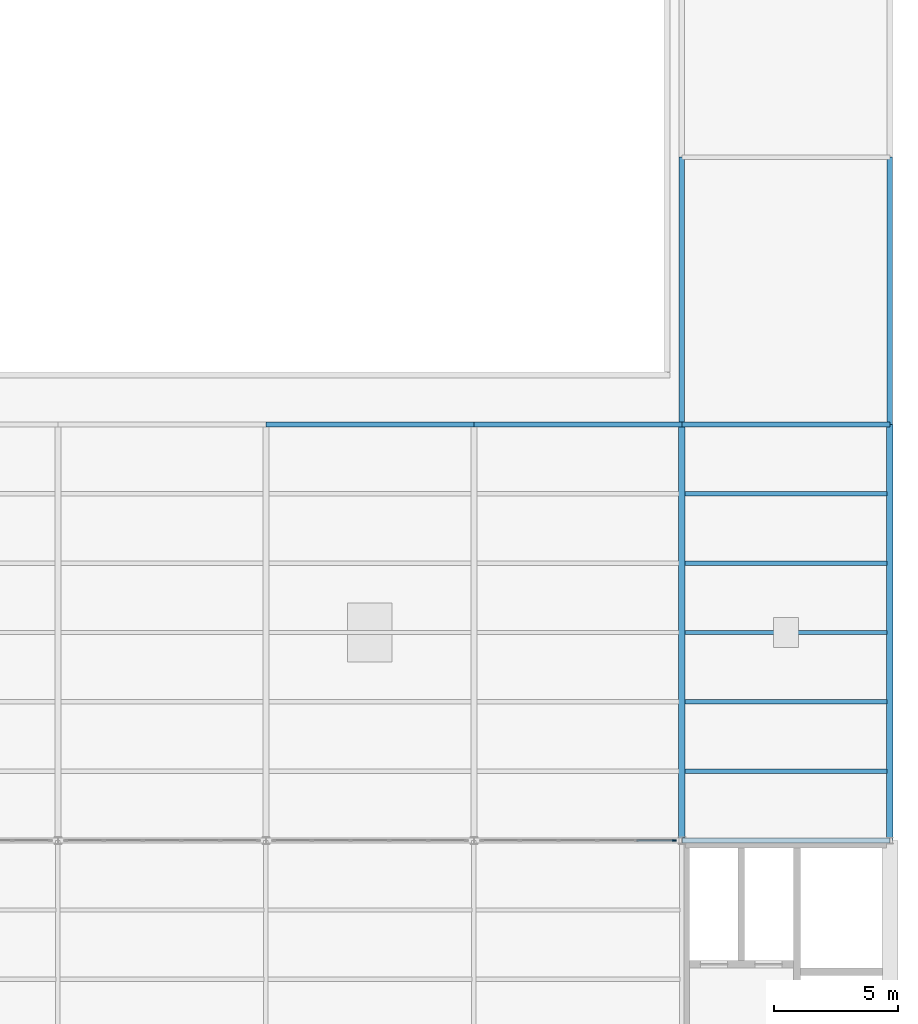
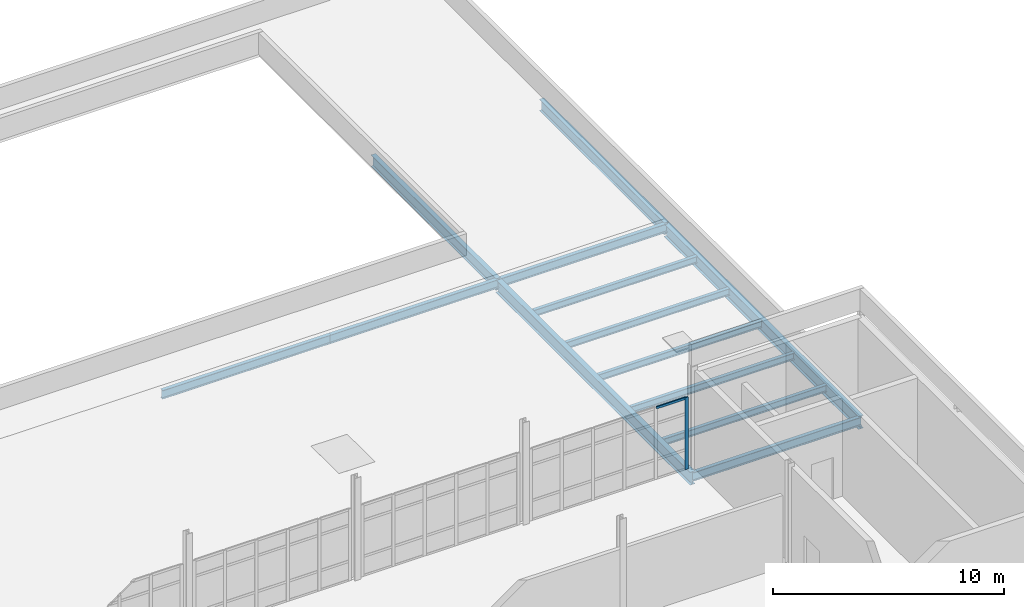
# One storey, part 22 of 33: 13 beams, 2 members, 1 element without a shape of its own.
"""IFC4 building model written with IfcOpenShell, lengths in metres."""

from ifc_helpers import new_model, si_unit, direction, frame, origin, origin_2d, place, context, subcontext, project, spatial, rectangle, i_section, extrude, material, layer, layer_set, material_profile, profile_set, type_object, element, aggregate, save


model = new_model("IFC4")

# Units and contexts
model_context = context("Model", 3, precision=1e-05, world=origin(), true_north=direction((0.0, 1.0)))
body_context = subcontext(model_context, "Body", "Model", "MODEL_VIEW")
ifc_project = project(units=[si_unit("LENGTHUNIT", "METRE"), si_unit("AREAUNIT", "SQUARE_METRE"), si_unit("VOLUMEUNIT", "CUBIC_METRE"), si_unit("PLANEANGLEUNIT", "RADIAN"), si_unit("MASSUNIT", "GRAM", prefix="KILO"), si_unit("THERMODYNAMICTEMPERATUREUNIT", "KELVIN"), si_unit("POWERUNIT", "WATT")], contexts=[model_context])

# Site, building, storey
site_placement = place(None, origin())
site = spatial("IfcSite", under=ifc_project, at=site_placement, CompositionType="ELEMENT")
building_placement = place(site_placement, origin())
building = spatial("IfcBuilding", under=site, at=building_placement, Name="Tembeka Court Mobility Hub", CompositionType="ELEMENT")
storey_placement = place(building_placement, frame((0.0, 0.0, 23.39990234375)))
storey = spatial("IfcBuildingStorey", under=building, at=storey_placement, Name="L06", CompositionType="ELEMENT", Elevation=23.39990234375)

# Beams
ifc_material_1 = material(Name="Steel S355", Category="steel")
ifc_material_profile_1 = material_profile(ifc_material_1, i_section(OverallWidth=0.18994140625, OverallDepth=0.45703125, WebThickness=0.009033203125, FlangeThickness=0.014404296875, FilletRadius=0.01025390625, at=origin_2d()), Name="UKB 457x191x74")
ifc_profile_set_1 = profile_set([ifc_material_profile_1], Name="Steel S355")
beam_type_1 = type_object("IfcBeamType", Name="BM-B01", PredefinedType="BEAM", material=ifc_profile_set_1)
beam_1_placement = place(storey_placement, frame((84.0, 80.39990234375, -0.478515625), z_axis=(1.0, 0.0, 0.0), x_axis=(0.0, 1.0, 0.0)))
element("IfcBeam", 1, at=beam_1_placement, inside=storey, type_object=beam_type_1, Name="Beam B01 (BM-L06-X3172)", PredefinedType="BEAM", context=body_context, shape_type="SweptSolid", body=[
    extrude(i_section(OverallWidth=0.18994140625, OverallDepth=0.45703125, WebThickness=0.009033203125, FlangeThickness=0.014404296875, FilletRadius=0.01025390625, at=origin_2d()), origin(), (0.0, 0.0, 1.0), 8.39990234375),
])
beam_2_placement = place(storey_placement, frame((67.199951171875, 97.199951171875, -0.45849609375), z_axis=(1.0, 0.0, 0.0), x_axis=(0.0, 1.0, 0.0)))
element("IfcBeam", 2, at=beam_2_placement, inside=storey, type_object=beam_type_1, Name="Beam B01 (BM-L06-X3181)", PredefinedType="BEAM", context=body_context, shape_type="SweptSolid", body=[
    extrude(i_section(OverallWidth=0.18994140625, OverallDepth=0.45703125, WebThickness=0.009033203125, FlangeThickness=0.014404296875, FilletRadius=0.01025390625, at=origin_2d()), origin(), (0.0, 0.0, 1.0), 8.400146484375),
])
for number, where, z_axis, x_axis, name in (
    (3, (75.60009765625, 97.199951171875, -0.45849609375), (1.0, 0.0, 0.0), (0.0, 1.0, 0.0), "Beam B01 (BM-L06-X3182)"),
    (4, (84.0, 97.199951171875, -0.45849609375), (1.0, 0.0, 0.0), (0.0, 1.0, 0.0), "Beam B01 (BM-L06-X3183)"),
):
    element("IfcBeam", number, at=place(storey_placement, frame(where, z_axis=z_axis, x_axis=x_axis)), inside=storey, type_object=beam_type_1, Name=name, PredefinedType="BEAM", context=body_context, shape_type="SweptSolid", body=[
        extrude(i_section(OverallWidth=0.18994140625, OverallDepth=0.45703125, WebThickness=0.009033203125, FlangeThickness=0.014404296875, FilletRadius=0.01025390625, at=origin_2d()), origin(), (0.0, 0.0, 1.0), 8.39990234375),
    ])
ifc_material_profile_2 = material_profile(ifc_material_1, i_section(OverallWidth=0.25390625, OverallDepth=0.68408203125, WebThickness=0.012451171875, FlangeThickness=0.01904296875, FilletRadius=0.01513671875, at=origin_2d()), Name="UKB 686x254x140")
ifc_profile_set_2 = profile_set([ifc_material_profile_2], Name="Steel S355")
beam_type_2 = type_object("IfcBeamType", Name="BM-G01", PredefinedType="USERDEFINED", material=ifc_profile_set_2)
for number, where, z_axis, x_axis, name in (
    (5, (84.0, 80.39990234375, -0.591796875), (0.0, 1.0, 0.0), (-1.0, 0.0, 0.0), "Beam G01 (BM-L06-Y3283)"),
    (6, (92.39990234375, 80.39990234375, -0.591796875), (0.0, 1.0, 0.0), (-1.0, 0.0, 0.0), "Beam G01 (BM-L06-Y3294)"),
):
    element("IfcBeam", number, at=place(storey_placement, frame(where, z_axis=z_axis, x_axis=x_axis)), inside=storey, type_object=beam_type_2, Name=name, ObjectType="GIRDER", PredefinedType="USERDEFINED", context=body_context, shape_type="SweptSolid", body=[
        extrude(i_section(OverallWidth=0.25390625, OverallDepth=0.68408203125, WebThickness=0.012451171875, FlangeThickness=0.01904296875, FilletRadius=0.01513671875, at=origin_2d()), origin(), (0.0, 0.0, 1.0), 16.800048828125),
    ])
ifc_material_profile_3 = material_profile(ifc_material_1, i_section(OverallWidth=0.22900390625, OverallDepth=0.612060546875, WebThickness=0.011962890625, FlangeThickness=0.01953125, FilletRadius=0.0126953125, at=origin_2d()), Name="UKB 610x229x125")
ifc_profile_set_3 = profile_set([ifc_material_profile_3], Name="Steel S355")
beam_type_3 = type_object("IfcBeamType", Name="BM-G02", PredefinedType="USERDEFINED", material=ifc_profile_set_3)
for number, where, z_axis, x_axis, name in (
    (7, (84.0, 97.199951171875, -0.535888671875), (0.0, 1.0, 0.0), (-1.0, 0.0, 0.0), "Beam G02 (BM-L06-Y3284)"),
    (8, (92.39990234375, 97.199951171875, -0.535888671875), (0.0, 1.0, 0.0), (-1.0, 0.0, 0.0), "Beam G02 (BM-L06-Y3295)"),
):
    element("IfcBeam", number, at=place(storey_placement, frame(where, z_axis=z_axis, x_axis=x_axis)), inside=storey, type_object=beam_type_3, Name=name, ObjectType="GIRDER", PredefinedType="USERDEFINED", context=body_context, shape_type="SweptSolid", body=[
        extrude(i_section(OverallWidth=0.22900390625, OverallDepth=0.612060546875, WebThickness=0.011962890625, FlangeThickness=0.01953125, FilletRadius=0.0126953125, at=origin_2d()), origin(), (0.0, 0.0, 1.0), 10.800048828125),
    ])
ifc_material_profile_4 = material_profile(ifc_material_1, i_section(OverallWidth=0.172119140625, OverallDepth=0.35498046875, WebThickness=0.00732421875, FlangeThickness=0.011474609375, FilletRadius=0.01025390625, at=origin_2d()), Name="UKB 356x171x51")
ifc_profile_set_4 = profile_set([ifc_material_profile_4], Name="Steel S355")
beam_type_4 = type_object("IfcBeamType", Name="BM-J01", PredefinedType="JOIST", material=ifc_profile_set_4)
for number, where, z_axis, x_axis, name in (
    (9, (84.1220703125, 83.199951171875, -0.407470703125), (1.0, 0.0, 0.0), (0.0, 1.0, 0.0), "Beam J01 (JST-L06-3488)"),
    (10, (84.1220703125, 86.0, -0.407470703125), (1.0, 0.0, 0.0), (0.0, 1.0, 0.0), "Beam J01 (JST-L06-3489)"),
    (11, (84.1220703125, 88.800048828125, -0.407470703125), (1.0, 0.0, 0.0), (0.0, 1.0, 0.0), "Beam J01 (JST-L06-3490)"),
    (12, (84.1220703125, 91.60009765625, -0.407470703125), (1.0, 0.0, 0.0), (0.0, 1.0, 0.0), "Beam J01 (JST-L06-3491)"),
    (13, (84.1220703125, 94.39990234375, -0.407470703125), (1.0, 0.0, 0.0), (0.0, 1.0, 0.0), "Beam J01 (JST-L06-3492)"),
):
    element("IfcBeam", number, at=place(storey_placement, frame(where, z_axis=z_axis, x_axis=x_axis)), inside=storey, type_object=beam_type_4, Name=name, PredefinedType="JOIST", context=body_context, shape_type="SweptSolid", body=[
        extrude(i_section(OverallWidth=0.172119140625, OverallDepth=0.35498046875, WebThickness=0.00732421875, FlangeThickness=0.011474609375, FilletRadius=0.01025390625, at=origin_2d()), origin(), (0.0, 0.0, 1.0), 8.156005859375),
    ])

# Curtain wall, members
ifc_material_2 = material(Name="Anodised aluminium 6063-T6", Category="aluminium")
ifc_layer = layer(ifc_material_2, 0.159912109375)
ifc_layer_set = layer_set([ifc_layer], Name="Anodised aluminium 6063-T6")
curtain_wall_type = type_object("IfcCurtainWallType", Name="CW-SYS57", PredefinedType="USERDEFINED", material=ifc_layer_set)
curtain_wall_placement = place(storey_placement, origin())
curtain_wall = element("IfcCurtainWall", 14, at=curtain_wall_placement, inside=storey, type_object=curtain_wall_type, Name="Unitised curtain wall CW57 (CW-L06-163)", ObjectType="UNITISED GLAZING", PredefinedType="USERDEFINED")
ifc_material_profile_5 = material_profile(ifc_material_2, rectangle(XDim=0.06494140625, YDim=0.159912109375, at=origin_2d()), Name="ALU-MUL 65x160")
ifc_profile_set_5 = profile_set([ifc_material_profile_5], Name="Anodised aluminium 6063-T6")
member_type_1 = type_object("IfcMemberType", Name="CW-MUL01", PredefinedType="MULLION", material=ifc_profile_set_5)
member_1_placement = place(storey_placement, frame((83.6875, 80.39990234375, 0.0), z_axis=(0.0, 0.0, 1.0), x_axis=(0.0, 1.0, 0.0)))
member_1 = element("IfcMember", 15, at=member_1_placement, type_object=member_type_1, Name="CW57 mullion 6", PredefinedType="MULLION", context=body_context, shape_type="SweptSolid", body=[
    extrude(rectangle(XDim=0.06494140625, YDim=0.159912109375, at=origin_2d()), origin(), (0.0, 0.0, 1.0), 3.795166015625),
])
ifc_material_profile_6 = material_profile(ifc_material_2, rectangle(XDim=0.06494140625, YDim=0.1201171875, at=origin_2d()), Name="ALU-TRN 65x120")
ifc_profile_set_6 = profile_set([ifc_material_profile_6], Name="Anodised aluminium 6063-T6")
member_type_2 = type_object("IfcMemberType", Name="CW-TRN01", PredefinedType="USERDEFINED", material=ifc_profile_set_6)
member_2_placement = place(storey_placement, frame((82.1845703125, 80.39990234375, 3.7626953125), z_axis=(1.0, 0.0, 0.0), x_axis=(0.0, 1.0, 0.0)))
member_2 = element("IfcMember", 16, at=member_2_placement, type_object=member_type_2, Name="CW57 transom 5.4", ObjectType="TRANSOM", PredefinedType="USERDEFINED", context=body_context, shape_type="SweptSolid", body=[
    extrude(rectangle(XDim=0.06494140625, YDim=0.1201171875, at=origin_2d()), origin(), (0.0, 0.0, 1.0), 1.470458984375),
])
aggregate(curtain_wall, [member_1, member_2])

save(model, "model.ifc")
